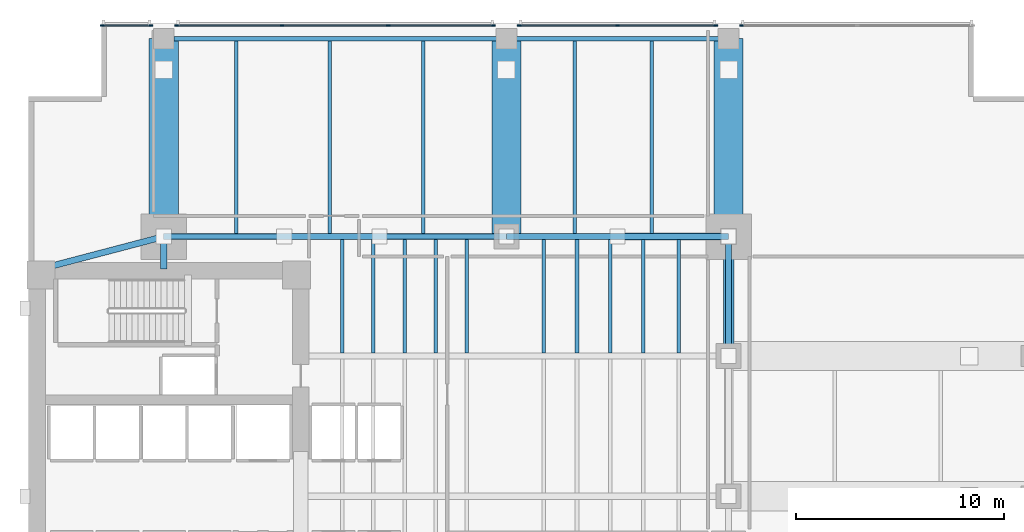
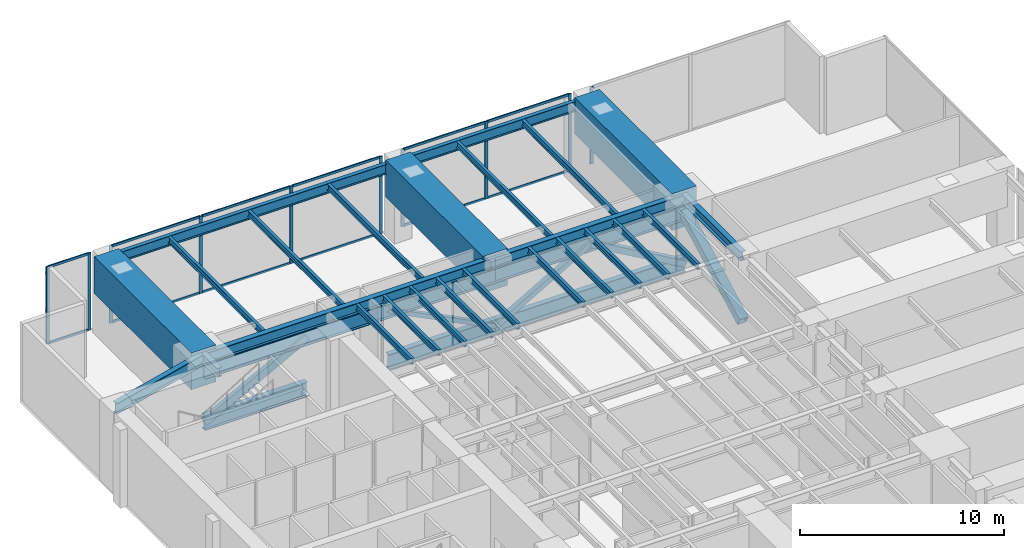
# One storey, part 5 of 14: 32 members, 25 beams, 4 elements without a shape of their own.
"""IFC4 building model written with IfcOpenShell, lengths in metres."""

from ifc_helpers import new_model, si_unit, direction, frame, origin, origin_2d, place, context, subcontext, project, spatial, rectangle, hollow_rectangle, i_section, extrude, material, layer, layer_set, material_profile, profile_set, type_object, element, aggregate, save


model = new_model("IFC4")

# Units and contexts
model_context = context("Model", 3, precision=1e-05, world=origin(), true_north=direction((0.0, 1.0)))
body_context = subcontext(model_context, "Body", "Model", "MODEL_VIEW")
ifc_project = project(units=[si_unit("LENGTHUNIT", "METRE"), si_unit("AREAUNIT", "SQUARE_METRE"), si_unit("VOLUMEUNIT", "CUBIC_METRE"), si_unit("PLANEANGLEUNIT", "RADIAN"), si_unit("MASSUNIT", "GRAM", prefix="KILO")], contexts=[model_context])

# Site, building, storey
site_placement = place(None, origin())
site = spatial("IfcSite", under=ifc_project, at=site_placement, CompositionType="ELEMENT")
building_placement = place(site_placement, origin())
building = spatial("IfcBuilding", under=site, at=building_placement, Name="Kinhvarn Gate Tower", CompositionType="ELEMENT")
storey_placement = place(building_placement, frame((0.0, 0.0, 93.050048828125)))
storey = spatial("IfcBuildingStorey", under=building, at=storey_placement, Name="L24", CompositionType="ELEMENT", Elevation=93.050048828125)

# Beams
ifc_material_1 = material(Name="Concrete C60/75", Category="concrete")
ifc_material_profile_1 = material_profile(ifc_material_1, rectangle(XDim=1.39990234375, YDim=2.199951171875, at=origin_2d()), Name="RC 1400x2200")
ifc_profile_set_1 = profile_set([ifc_material_profile_1], Name="Concrete C60/75")
beam_type_1 = type_object("IfcBeamType", Name="BM-TG-2200", PredefinedType="BEAM", material=ifc_profile_set_1)
for number, where, z_axis, x_axis, name in (
    (1, (11.0, 37.75, 3.699951171875), (0.0, 1.0, 0.0), (-1.0, 0.0, 0.0), "Setback Transfer Girder TG-02-L25-CN-0"),
    (2, (27.5, 37.75, 3.699951171875), (0.0, 1.0, 0.0), (-1.0, 0.0, 0.0), "Setback Transfer Girder TG-02-L25-CN-1"),
    (3, (38.199951171875, 37.75, 3.699951171875), (0.0, 1.0, 0.0), (-1.0, 0.0, 0.0), "Setback Transfer Girder TG-02-L25-CN-2"),
):
    element("IfcBeam", number, at=place(storey_placement, frame(where, z_axis=z_axis, x_axis=x_axis)), inside=storey, type_object=beam_type_1, Name=name, PredefinedType="BEAM", context=body_context, shape_type="SweptSolid", body=[
        extrude(rectangle(XDim=1.39990234375, YDim=2.199951171875, at=origin_2d()), origin(), (0.0, 0.0, 1.0), 9.530029296875),
    ])

# Curtain wall, member
ifc_material_2 = material(Name="Anodised aluminium AW-6063", Category="aluminium")
ifc_layer = layer(ifc_material_2, 0.179931640625)
ifc_layer_set = layer_set([ifc_layer], Name="Anodised aluminium AW-6063")
curtain_wall_type = type_object("IfcCurtainWallType", Name="CW-SYS-2", PredefinedType="NOTDEFINED", material=ifc_layer_set)
curtain_wall_1_placement = place(storey_placement, origin())
curtain_wall_1 = element("IfcCurtainWall", 4, at=curtain_wall_1_placement, inside=storey, type_object=curtain_wall_type, Name="Curtain Wall CW2 (L24)", PredefinedType="NOTDEFINED")
ifc_material_profile_2 = material_profile(ifc_material_2, rectangle(XDim=0.070068359375, YDim=0.179931640625, at=origin_2d()), Name="ALU 70x180")
ifc_profile_set_2 = profile_set([ifc_material_profile_2], Name="Anodised aluminium AW-6063")
member_type_1 = type_object("IfcMemberType", Name="CW-MUL-180", PredefinedType="MULLION", material=ifc_profile_set_2)
member_1_placement = place(storey_placement, frame((38.81494140625, 47.909912109375, 0.0), z_axis=(0.0, 0.0, 1.0), x_axis=(0.0, -1.0, 0.0)))
member_1 = element("IfcMember", 5, at=member_1_placement, type_object=member_type_1, Name="CW2 mullion 3", PredefinedType="MULLION", context=body_context, shape_type="SweptSolid", body=[
    extrude(rectangle(XDim=0.070068359375, YDim=0.179931640625, at=origin_2d()), origin(), (0.0, 0.0, 1.0), 4.619873046875),
])
aggregate(curtain_wall_1, [member_1])

# Curtain wall, members
curtain_wall_2_placement = place(storey_placement, origin())
curtain_wall_2 = element("IfcCurtainWall", 6, at=curtain_wall_2_placement, inside=storey, type_object=curtain_wall_type, Name="Curtain Wall CW2 (L24)", PredefinedType="NOTDEFINED")
member_2_placement = place(storey_placement, frame((37.5849609375, 47.909912109375, 0.0), z_axis=(0.0, 0.0, 1.0), x_axis=(0.0, -1.0, 0.0)))
member_2 = element("IfcMember", 7, at=member_2_placement, type_object=member_type_1, Name="CW2 mullion 1", PredefinedType="MULLION", context=body_context, shape_type="SweptSolid", body=[
    extrude(rectangle(XDim=0.070068359375, YDim=0.179931640625, at=origin_2d()), origin(), (0.0, 0.0, 1.0), 4.619873046875),
])
member_3_placement = place(storey_placement, frame((32.85009765625, 47.909912109375, 0.0), z_axis=(0.0, 0.0, 1.0), x_axis=(0.0, -1.0, 0.0)))
member_3 = element("IfcMember", 8, at=member_3_placement, type_object=member_type_1, Name="CW2 mullion 2", PredefinedType="MULLION", context=body_context, shape_type="SweptSolid", body=[
    extrude(rectangle(XDim=0.070068359375, YDim=0.179931640625, at=origin_2d()), origin(), (0.0, 0.0, 1.0), 4.619873046875),
])
member_4_placement = place(storey_placement, frame((28.114990234375, 47.909912109375, 0.0), z_axis=(0.0, 0.0, 1.0), x_axis=(0.0, -1.0, 0.0)))
member_4 = element("IfcMember", 9, at=member_4_placement, type_object=member_type_1, Name="CW2 mullion 3", PredefinedType="MULLION", context=body_context, shape_type="SweptSolid", body=[
    extrude(rectangle(XDim=0.070068359375, YDim=0.179931640625, at=origin_2d()), origin(), (0.0, 0.0, 1.0), 4.619873046875),
])

curtain_wall_3_placement = place(storey_placement, origin())
curtain_wall_3 = element("IfcCurtainWall", 10, at=curtain_wall_3_placement, inside=storey, type_object=curtain_wall_type, Name="Curtain Wall CW2 (L24)", PredefinedType="NOTDEFINED")
member_5_placement = place(storey_placement, frame((26.885009765625, 47.909912109375, 0.0), z_axis=(0.0, 0.0, 1.0), x_axis=(0.0, -1.0, 0.0)))
member_5 = element("IfcMember", 11, at=member_5_placement, type_object=member_type_1, Name="CW2 mullion 1", PredefinedType="MULLION", context=body_context, shape_type="SweptSolid", body=[
    extrude(rectangle(XDim=0.070068359375, YDim=0.179931640625, at=origin_2d()), origin(), (0.0, 0.0, 1.0), 4.619873046875),
])
member_6_placement = place(storey_placement, frame((21.806640625, 47.909912109375, 0.0), z_axis=(0.0, 0.0, 1.0), x_axis=(0.0, -1.0, 0.0)))
member_6 = element("IfcMember", 12, at=member_6_placement, type_object=member_type_1, Name="CW2 mullion 2", PredefinedType="MULLION", context=body_context, shape_type="SweptSolid", body=[
    extrude(rectangle(XDim=0.070068359375, YDim=0.179931640625, at=origin_2d()), origin(), (0.0, 0.0, 1.0), 4.619873046875),
])
member_7_placement = place(storey_placement, frame((16.693359375, 47.909912109375, 0.0), z_axis=(0.0, 0.0, 1.0), x_axis=(0.0, -1.0, 0.0)))
member_7 = element("IfcMember", 13, at=member_7_placement, type_object=member_type_1, Name="CW2 mullion 3", PredefinedType="MULLION", context=body_context, shape_type="SweptSolid", body=[
    extrude(rectangle(XDim=0.070068359375, YDim=0.179931640625, at=origin_2d()), origin(), (0.0, 0.0, 1.0), 4.619873046875),
])
member_8_placement = place(storey_placement, frame((11.614990234375, 47.909912109375, 0.0), z_axis=(0.0, 0.0, 1.0), x_axis=(0.0, -1.0, 0.0)))
member_8 = element("IfcMember", 14, at=member_8_placement, type_object=member_type_1, Name="CW2 mullion 4", PredefinedType="MULLION", context=body_context, shape_type="SweptSolid", body=[
    extrude(rectangle(XDim=0.070068359375, YDim=0.179931640625, at=origin_2d()), origin(), (0.0, 0.0, 1.0), 4.619873046875),
])

curtain_wall_4_placement = place(storey_placement, origin())
curtain_wall_4 = element("IfcCurtainWall", 15, at=curtain_wall_4_placement, inside=storey, type_object=curtain_wall_type, Name="Curtain Wall CW2 (L24)", PredefinedType="NOTDEFINED")
member_9_placement = place(storey_placement, frame((10.385009765625, 47.909912109375, 0.0), z_axis=(0.0, 0.0, 1.0), x_axis=(0.0, -1.0, 0.0)))
member_9 = element("IfcMember", 16, at=member_9_placement, type_object=member_type_1, Name="CW2 mullion 1", PredefinedType="MULLION", context=body_context, shape_type="SweptSolid", body=[
    extrude(rectangle(XDim=0.070068359375, YDim=0.179931640625, at=origin_2d()), origin(), (0.0, 0.0, 1.0), 4.619873046875),
])
member_10_placement = place(storey_placement, frame((8.034912109375, 47.909912109375, 0.0), z_axis=(0.0, 0.0, 1.0), x_axis=(0.0, -1.0, 0.0)))
member_10 = element("IfcMember", 17, at=member_10_placement, type_object=member_type_1, Name="CW2 mullion 2", PredefinedType="MULLION", context=body_context, shape_type="SweptSolid", body=[
    extrude(rectangle(XDim=0.070068359375, YDim=0.179931640625, at=origin_2d()), origin(), (0.0, 0.0, 1.0), 4.619873046875),
])

# Member
ifc_material_profile_3 = material_profile(ifc_material_2, rectangle(XDim=0.070068359375, YDim=0.139892578125, at=origin_2d()), Name="ALU 70x140")
ifc_profile_set_3 = profile_set([ifc_material_profile_3], Name="Anodised aluminium AW-6063")
member_type_2 = type_object("IfcMemberType", Name="CW-TRN-140", PredefinedType="USERDEFINED", material=ifc_profile_set_3)
member_11_placement = place(storey_placement, frame((37.550048828125, 47.909912109375, 0.034912109375), z_axis=(-1.0, 0.0, 0.0), x_axis=(0.0, -1.0, 0.0)))
member_11 = element("IfcMember", 18, at=member_11_placement, type_object=member_type_2, Name="CW2 transom 1.1", ObjectType="TRANSOM", PredefinedType="USERDEFINED", context=body_context, shape_type="SweptSolid", body=[
    extrude(rectangle(XDim=0.070068359375, YDim=0.139892578125, at=origin_2d()), origin(), (0.0, 0.0, 1.0), 4.6650390625),
])

member_12_placement = place(storey_placement, frame((37.550048828125, 47.909912109375, 4.5849609375), z_axis=(-1.0, 0.0, 0.0), x_axis=(0.0, -1.0, 0.0)))
member_12 = element("IfcMember", 19, at=member_12_placement, type_object=member_type_2, Name="CW2 transom 1.2", ObjectType="TRANSOM", PredefinedType="USERDEFINED", context=body_context, shape_type="SweptSolid", body=[
    extrude(rectangle(XDim=0.070068359375, YDim=0.139892578125, at=origin_2d()), origin(), (0.0, 0.0, 1.0), 4.6650390625),
])

member_13_placement = place(storey_placement, frame((32.81494140625, 47.909912109375, 0.034912109375), z_axis=(-1.0, 0.0, 0.0), x_axis=(0.0, -1.0, 0.0)))
member_13 = element("IfcMember", 20, at=member_13_placement, type_object=member_type_2, Name="CW2 transom 2.1", ObjectType="TRANSOM", PredefinedType="USERDEFINED", context=body_context, shape_type="SweptSolid", body=[
    extrude(rectangle(XDim=0.070068359375, YDim=0.139892578125, at=origin_2d()), origin(), (0.0, 0.0, 1.0), 4.6650390625),
])

member_14_placement = place(storey_placement, frame((32.81494140625, 47.909912109375, 4.5849609375), z_axis=(-1.0, 0.0, 0.0), x_axis=(0.0, -1.0, 0.0)))
member_14 = element("IfcMember", 21, at=member_14_placement, type_object=member_type_2, Name="CW2 transom 2.2", ObjectType="TRANSOM", PredefinedType="USERDEFINED", context=body_context, shape_type="SweptSolid", body=[
    extrude(rectangle(XDim=0.070068359375, YDim=0.139892578125, at=origin_2d()), origin(), (0.0, 0.0, 1.0), 4.6650390625),
])

aggregate(curtain_wall_2, [member_2, member_3, member_4, member_11, member_12, member_13, member_14])

member_15_placement = place(storey_placement, frame((26.85009765625, 47.909912109375, 0.034912109375), z_axis=(-1.0, 0.0, 0.0), x_axis=(0.0, -1.0, 0.0)))
member_15 = element("IfcMember", 22, at=member_15_placement, type_object=member_type_2, Name="CW2 transom 1.1", ObjectType="TRANSOM", PredefinedType="USERDEFINED", context=body_context, shape_type="SweptSolid", body=[
    extrude(rectangle(XDim=0.070068359375, YDim=0.139892578125, at=origin_2d()), origin(), (0.0, 0.0, 1.0), 5.008544921875),
])

member_16_placement = place(storey_placement, frame((26.85009765625, 47.909912109375, 4.5849609375), z_axis=(-1.0, 0.0, 0.0), x_axis=(0.0, -1.0, 0.0)))
member_16 = element("IfcMember", 23, at=member_16_placement, type_object=member_type_2, Name="CW2 transom 1.2", ObjectType="TRANSOM", PredefinedType="USERDEFINED", context=body_context, shape_type="SweptSolid", body=[
    extrude(rectangle(XDim=0.070068359375, YDim=0.139892578125, at=origin_2d()), origin(), (0.0, 0.0, 1.0), 5.008544921875),
])

member_17_placement = place(storey_placement, frame((21.771728515625, 47.909912109375, 0.034912109375), z_axis=(-1.0, 0.0, 0.0), x_axis=(0.0, -1.0, 0.0)))
member_17 = element("IfcMember", 24, at=member_17_placement, type_object=member_type_2, Name="CW2 transom 2.1", ObjectType="TRANSOM", PredefinedType="USERDEFINED", context=body_context, shape_type="SweptSolid", body=[
    extrude(rectangle(XDim=0.070068359375, YDim=0.139892578125, at=origin_2d()), origin(), (0.0, 0.0, 1.0), 5.04345703125),
])

member_18_placement = place(storey_placement, frame((21.771728515625, 47.909912109375, 4.5849609375), z_axis=(-1.0, 0.0, 0.0), x_axis=(0.0, -1.0, 0.0)))
member_18 = element("IfcMember", 25, at=member_18_placement, type_object=member_type_2, Name="CW2 transom 2.2", ObjectType="TRANSOM", PredefinedType="USERDEFINED", context=body_context, shape_type="SweptSolid", body=[
    extrude(rectangle(XDim=0.070068359375, YDim=0.139892578125, at=origin_2d()), origin(), (0.0, 0.0, 1.0), 5.04345703125),
])

member_19_placement = place(storey_placement, frame((16.658447265625, 47.909912109375, 0.034912109375), z_axis=(-1.0, 0.0, 0.0), x_axis=(0.0, -1.0, 0.0)))
member_19 = element("IfcMember", 26, at=member_19_placement, type_object=member_type_2, Name="CW2 transom 3.1", ObjectType="TRANSOM", PredefinedType="USERDEFINED", context=body_context, shape_type="SweptSolid", body=[
    extrude(rectangle(XDim=0.070068359375, YDim=0.139892578125, at=origin_2d()), origin(), (0.0, 0.0, 1.0), 5.008544921875),
])

member_20_placement = place(storey_placement, frame((16.658447265625, 47.909912109375, 4.5849609375), z_axis=(-1.0, 0.0, 0.0), x_axis=(0.0, -1.0, 0.0)))
member_20 = element("IfcMember", 27, at=member_20_placement, type_object=member_type_2, Name="CW2 transom 3.2", ObjectType="TRANSOM", PredefinedType="USERDEFINED", context=body_context, shape_type="SweptSolid", body=[
    extrude(rectangle(XDim=0.070068359375, YDim=0.139892578125, at=origin_2d()), origin(), (0.0, 0.0, 1.0), 5.008544921875),
])

aggregate(curtain_wall_3, [member_5, member_6, member_7, member_8, member_15, member_16, member_17, member_18, member_19, member_20])

member_21_placement = place(storey_placement, frame((10.35009765625, 47.909912109375, 0.034912109375), z_axis=(-1.0, 0.0, 0.0), x_axis=(0.0, -1.0, 0.0)))
member_21 = element("IfcMember", 28, at=member_21_placement, type_object=member_type_2, Name="CW2 transom 1.1", ObjectType="TRANSOM", PredefinedType="USERDEFINED", context=body_context, shape_type="SweptSolid", body=[
    extrude(rectangle(XDim=0.070068359375, YDim=0.139892578125, at=origin_2d()), origin(), (0.0, 0.0, 1.0), 2.280029296875),
])

member_22_placement = place(storey_placement, frame((10.35009765625, 47.909912109375, 4.5849609375), z_axis=(-1.0, 0.0, 0.0), x_axis=(0.0, -1.0, 0.0)))
member_22 = element("IfcMember", 29, at=member_22_placement, type_object=member_type_2, Name="CW2 transom 1.2", ObjectType="TRANSOM", PredefinedType="USERDEFINED", context=body_context, shape_type="SweptSolid", body=[
    extrude(rectangle(XDim=0.070068359375, YDim=0.139892578125, at=origin_2d()), origin(), (0.0, 0.0, 1.0), 2.280029296875),
])

aggregate(curtain_wall_4, [member_9, member_10, member_21, member_22])

# Members
ifc_material_3 = material(Name="Steel S355", Category="steel")
ifc_material_profile_4 = material_profile(ifc_material_3, hollow_rectangle(XDim=0.25, YDim=0.449951171875, WallThickness=0.01611328125, at=origin_2d()), Name="RHS 450x250x16")
ifc_profile_set_4 = profile_set([ifc_material_profile_4], Name="Steel S355")
member_type_3 = type_object("IfcMemberType", Name="MBR-RHS450x250x16", PredefinedType="BRACE", material=ifc_profile_set_4)
member_23_placement = place(storey_placement, frame((11.0, 37.75, 0.449951171875), z_axis=(0.883822301233, 0.0, 0.467822765417), x_axis=(0.0, 1.0, 0.0)))
element("IfcMember", 30, at=member_23_placement, inside=storey, type_object=member_type_3, Name="Outrigger Truss Diagonal BR-05 (RHS 450x250x16)", PredefinedType="BRACE", context=body_context, shape_type="SweptSolid", body=[
    extrude(hollow_rectangle(XDim=0.25, YDim=0.449951171875, WallThickness=0.01611328125, at=origin_2d()), origin(), (0.0, 0.0, 1.0), 6.5625),
])
ifc_material_profile_5 = material_profile(ifc_material_3, hollow_rectangle(XDim=0.25, YDim=0.25, WallThickness=0.011962890625, at=origin_2d()), Name="SHS 250x250x12")
ifc_profile_set_5 = profile_set([ifc_material_profile_5], Name="Steel S355")
member_type_4 = type_object("IfcMemberType", Name="MBR-SHS250x250x12", PredefinedType="BRACE", material=ifc_profile_set_5)
member_24_placement = place(storey_placement, frame((21.39990234375, 37.75, 3.52001953125), z_axis=(0.893251513764, 0.0, -0.449557263491), x_axis=(0.0, 1.0, 0.0)))
element("IfcMember", 31, at=member_24_placement, inside=storey, type_object=member_type_4, Name="Outrigger Truss Diagonal BR-06 (SHS 250x250x12)", PredefinedType="BRACE", context=body_context, shape_type="SweptSolid", body=[
    extrude(hollow_rectangle(XDim=0.25, YDim=0.25, WallThickness=0.011962890625, at=origin_2d()), origin(), (0.0, 0.0, 1.0), 6.8291015625),
])
ifc_material_profile_6 = material_profile(ifc_material_3, hollow_rectangle(XDim=0.300048828125, YDim=0.300048828125, WallThickness=0.01611328125, at=origin_2d()), Name="SHS 300x300x16")
ifc_profile_set_6 = profile_set([ifc_material_profile_6], Name="Steel S355")
member_type_5 = type_object("IfcMemberType", Name="MBR-SHS300x300x16", PredefinedType="BRACE", material=ifc_profile_set_6)
member_25_placement = place(storey_placement, frame((27.5, 37.75, 0.449951171875), z_axis=(0.86734296071, 0.0, 0.497710948751), x_axis=(0.0, 1.0, 0.0)))
element("IfcMember", 32, at=member_25_placement, inside=storey, type_object=member_type_5, Name="Outrigger Truss Diagonal BR-07 (SHS 300x300x16)", PredefinedType="BRACE", context=body_context, shape_type="SweptSolid", body=[
    extrude(hollow_rectangle(XDim=0.300048828125, YDim=0.300048828125, WallThickness=0.01611328125, at=origin_2d()), origin(), (0.0, 0.0, 1.0), 6.16845703125),
])
ifc_material_profile_7 = material_profile(ifc_material_3, hollow_rectangle(XDim=0.35009765625, YDim=0.35009765625, WallThickness=0.01611328125, at=origin_2d()), Name="SHS 350x350x16")
ifc_profile_set_7 = profile_set([ifc_material_profile_7], Name="Steel S355")
member_type_6 = type_object("IfcMemberType", Name="MBR-SHS350x350x16", PredefinedType="BRACE", material=ifc_profile_set_7)
member_26_placement = place(storey_placement, frame((32.85009765625, 37.75, 3.52001953125), z_axis=(0.867333155747, 0.0, -0.497728035117), x_axis=(0.0, 1.0, 0.0)))
element("IfcMember", 33, at=member_26_placement, inside=storey, type_object=member_type_6, Name="Outrigger Truss Diagonal BR-08 (SHS 350x350x16)", PredefinedType="BRACE", context=body_context, shape_type="SweptSolid", body=[
    extrude(hollow_rectangle(XDim=0.35009765625, YDim=0.35009765625, WallThickness=0.01611328125, at=origin_2d()), origin(), (0.0, 0.0, 1.0), 6.168212890625),
])
ifc_material_profile_8 = material_profile(ifc_material_3, hollow_rectangle(XDim=0.5, YDim=0.5, WallThickness=0.02490234375, at=origin_2d()), Name="SHS 500x500x25")
ifc_profile_set_8 = profile_set([ifc_material_profile_8], Name="Steel S355")
member_type_7 = type_object("IfcMemberType", Name="MBR-SHS500x500x25", PredefinedType="BRACE", material=ifc_profile_set_8)
member_27_placement = place(storey_placement, frame((38.199951171875, 32.0, 0.449951171875), z_axis=(0.0, 0.882136153944, 0.470994486067), x_axis=(-1.0, 0.0, 0.0)))
element("IfcMember", 34, at=member_27_placement, inside=storey, type_object=member_type_7, Name="Belt Truss Spine Diagonal BR-10 (SHS 500x500x25)", PredefinedType="BRACE", context=body_context, shape_type="SweptSolid", body=[
    extrude(hollow_rectangle(XDim=0.5, YDim=0.5, WallThickness=0.02490234375, at=origin_2d()), origin(), (0.0, 0.0, 1.0), 6.518310546875),
])

# Beams
ifc_material_profile_9 = material_profile(ifc_material_3, i_section(OverallWidth=0.300048828125, OverallDepth=0.550048828125, WebThickness=0.014892578125, FlangeThickness=0.029052734375, at=origin_2d()), Name="HEB 550")
ifc_profile_set_9 = profile_set([ifc_material_profile_9], Name="Steel S355")
beam_type_2 = type_object("IfcBeamType", Name="STL-HEB550", PredefinedType="BEAM", material=ifc_profile_set_9)
beam_1_placement = place(storey_placement, frame((11.0, 36.199951171875, 4.344970703125), z_axis=(0.0, 1.0, 0.0), x_axis=(-1.0, 0.0, 0.0)))
element("IfcBeam", 35, at=beam_1_placement, inside=storey, type_object=beam_type_2, Name="Floor Beam PG-15 (L24 MCW-CN)", PredefinedType="BEAM", context=body_context, shape_type="SweptSolid", body=[
    extrude(i_section(OverallWidth=0.300048828125, OverallDepth=0.550048828125, WebThickness=0.014892578125, FlangeThickness=0.029052734375, at=origin_2d()), origin(), (0.0, 0.0, 1.0), 1.550048828125),
])
beam_2_placement = place(storey_placement, frame((38.199951171875, 32.0, 4.344970703125), z_axis=(0.0, 1.0, 0.0), x_axis=(-1.0, 0.0, 0.0)))
element("IfcBeam", 36, at=beam_2_placement, inside=storey, type_object=beam_type_2, Name="Floor Beam PG-15 (L24 MG-E-32)", PredefinedType="BEAM", context=body_context, shape_type="SweptSolid", body=[
    extrude(i_section(OverallWidth=0.300048828125, OverallDepth=0.550048828125, WebThickness=0.014892578125, FlangeThickness=0.029052734375, at=origin_2d()), origin(), (0.0, 0.0, 1.0), 5.75),
])
ifc_material_profile_10 = material_profile(ifc_material_3, i_section(OverallWidth=0.300048828125, OverallDepth=0.64990234375, WebThickness=0.01611328125, FlangeThickness=0.031005859375, at=origin_2d()), Name="HEB 650")
ifc_profile_set_10 = profile_set([ifc_material_profile_10], Name="Steel S355")
beam_type_3 = type_object("IfcBeamType", Name="STL-HEB650", PredefinedType="BEAM", material=ifc_profile_set_10)
beam_3_placement = place(storey_placement, frame((11.0, 37.75, 4.294921875), z_axis=(1.0, 0.0, 0.0), x_axis=(0.0, 1.0, 0.0)))
element("IfcBeam", 37, at=beam_3_placement, inside=storey, type_object=beam_type_3, Name="Floor Beam PG-17 (L24 MG-N1)", PredefinedType="BEAM", context=body_context, shape_type="SweptSolid", body=[
    extrude(i_section(OverallWidth=0.300048828125, OverallDepth=0.64990234375, WebThickness=0.01611328125, FlangeThickness=0.031005859375, at=origin_2d()), origin(), (0.0, 0.0, 1.0), 16.5),
])
beam_4_placement = place(storey_placement, frame((27.5, 37.75, 4.294921875), z_axis=(1.0, 0.0, 0.0), x_axis=(0.0, 1.0, 0.0)))
element("IfcBeam", 38, at=beam_4_placement, inside=storey, type_object=beam_type_3, Name="Floor Beam PG-17 (L24 MG-N2)", PredefinedType="BEAM", context=body_context, shape_type="SweptSolid", body=[
    extrude(i_section(OverallWidth=0.300048828125, OverallDepth=0.64990234375, WebThickness=0.01611328125, FlangeThickness=0.031005859375, at=origin_2d()), origin(), (0.0, 0.0, 1.0), 10.699951171875),
])
beam_5_placement = place(storey_placement, frame((5.10009765625, 36.199951171875, 4.294921875), z_axis=(0.967177623957, 0.254101246979, 0.0), x_axis=(-0.254101246979, 0.967177623957, 0.0)))
element("IfcBeam", 39, at=beam_5_placement, inside=storey, type_object=beam_type_3, Name="Floor Beam PG-17 (L24 MG-NW-DIAG)", PredefinedType="BEAM", context=body_context, shape_type="SweptSolid", body=[
    extrude(i_section(OverallWidth=0.300048828125, OverallDepth=0.64990234375, WebThickness=0.01611328125, FlangeThickness=0.031005859375, at=origin_2d()), origin(), (0.0, 0.0, 1.0), 6.10009765625),
])

# Members
ifc_material_profile_11 = material_profile(ifc_material_3, i_section(OverallWidth=0.300048828125, OverallDepth=0.89990234375, WebThickness=0.0185546875, FlangeThickness=0.034912109375, at=origin_2d()), Name="HEB 900")
ifc_profile_set_11 = profile_set([ifc_material_profile_11], Name="Steel S355")
member_type_8 = type_object("IfcMemberType", Name="STL-HEB900", PredefinedType="CHORD", material=ifc_profile_set_11)
member_28_placement = place(storey_placement, frame((11.0, 37.75, 0.449951171875), z_axis=(1.0, 0.0, 0.0), x_axis=(0.0, 1.0, 0.0)))
element("IfcMember", 40, at=member_28_placement, inside=storey, type_object=member_type_8, Name="Outrigger Belt Chord BC-20 (L24 OUT-N1A-BOT)", PredefinedType="CHORD", context=body_context, shape_type="SweptSolid", body=[
    extrude(i_section(OverallWidth=0.300048828125, OverallDepth=0.89990234375, WebThickness=0.0185546875, FlangeThickness=0.034912109375, at=origin_2d()), origin(), (0.0, 0.0, 1.0), 5.800048828125),
])
member_29_placement = place(storey_placement, frame((21.39990234375, 37.75, 0.449951171875), z_axis=(1.0, 0.0, 0.0), x_axis=(0.0, 1.0, 0.0)))
element("IfcMember", 41, at=member_29_placement, inside=storey, type_object=member_type_8, Name="Outrigger Belt Chord BC-20 (L24 OUT-N1B-BOT)", PredefinedType="CHORD", context=body_context, shape_type="SweptSolid", body=[
    extrude(i_section(OverallWidth=0.300048828125, OverallDepth=0.89990234375, WebThickness=0.0185546875, FlangeThickness=0.034912109375, at=origin_2d()), origin(), (0.0, 0.0, 1.0), 6.10009765625),
])
member_30_placement = place(storey_placement, frame((27.5, 37.75, 0.449951171875), z_axis=(1.0, 0.0, 0.0), x_axis=(0.0, 1.0, 0.0)))
element("IfcMember", 42, at=member_30_placement, inside=storey, type_object=member_type_8, Name="Outrigger Belt Chord BC-20 (L24 OUT-N2-BOT)", PredefinedType="CHORD", context=body_context, shape_type="SweptSolid", body=[
    extrude(i_section(OverallWidth=0.300048828125, OverallDepth=0.89990234375, WebThickness=0.0185546875, FlangeThickness=0.034912109375, at=origin_2d()), origin(), (0.0, 0.0, 1.0), 10.699951171875),
])
member_31_placement = place(storey_placement, frame((11.0, 37.75, 3.52001953125), z_axis=(1.0, 0.0, 0.0), x_axis=(0.0, 1.0, 0.0)))
element("IfcMember", 43, at=member_31_placement, inside=storey, type_object=member_type_8, Name="Outrigger Belt Chord BC-20 (L24 OUT-N1-TOP)", PredefinedType="CHORD", context=body_context, shape_type="SweptSolid", body=[
    extrude(i_section(OverallWidth=0.300048828125, OverallDepth=0.89990234375, WebThickness=0.0185546875, FlangeThickness=0.034912109375, at=origin_2d()), origin(), (0.0, 0.0, 1.0), 16.5),
])
member_32_placement = place(storey_placement, frame((27.5, 37.75, 3.52001953125), z_axis=(1.0, 0.0, 0.0), x_axis=(0.0, 1.0, 0.0)))
element("IfcMember", 44, at=member_32_placement, inside=storey, type_object=member_type_8, Name="Outrigger Belt Chord BC-20 (L24 OUT-N2-TOP)", PredefinedType="CHORD", context=body_context, shape_type="SweptSolid", body=[
    extrude(i_section(OverallWidth=0.300048828125, OverallDepth=0.89990234375, WebThickness=0.0185546875, FlangeThickness=0.034912109375, at=origin_2d()), origin(), (0.0, 0.0, 1.0), 10.699951171875),
])

# Beams
ifc_material_profile_12 = material_profile(ifc_material_3, i_section(OverallWidth=0.169921875, OverallDepth=0.360107421875, WebThickness=0.008056640625, FlangeThickness=0.0126953125, at=origin_2d()), Name="IPE 360")
ifc_profile_set_12 = profile_set([ifc_material_profile_12], Name="Steel S355")
beam_type_4 = type_object("IfcBeamType", Name="STL-IPE360", PredefinedType="JOIST", material=ifc_profile_set_12)
for number, where, z_axis, x_axis, name in (
    (45, (19.60009765625, 32.14990234375, 4.43994140625), (0.0, 1.0, 0.0), (-1.0, 0.0, 0.0), "Floor Joist SB-04 (L24 JC-X196-3)"),
    (46, (21.10009765625, 32.14990234375, 4.43994140625), (0.0, 1.0, 0.0), (-1.0, 0.0, 0.0), "Floor Joist SB-04 (L24 JC-X211-3)"),
    (47, (22.60009765625, 32.14990234375, 4.43994140625), (0.0, 1.0, 0.0), (-1.0, 0.0, 0.0), "Floor Joist SB-04 (L24 JC-X226-3)"),
    (48, (24.10009765625, 32.14990234375, 4.43994140625), (0.0, 1.0, 0.0), (-1.0, 0.0, 0.0), "Floor Joist SB-04 (L24 JC-X241-3)"),
    (49, (25.60009765625, 32.14990234375, 4.43994140625), (0.0, 1.0, 0.0), (-1.0, 0.0, 0.0), "Floor Joist SB-04 (L24 JC-X256-3)"),
    (50, (29.300048828125, 32.14990234375, 4.43994140625), (0.0, 1.0, 0.0), (-1.0, 0.0, 0.0), "Floor Joist SB-04 (L24 JC-X293-3)"),
    (51, (30.89990234375, 32.14990234375, 4.43994140625), (0.0, 1.0, 0.0), (-1.0, 0.0, 0.0), "Floor Joist SB-04 (L24 JC-X309-3)"),
    (52, (32.5, 32.14990234375, 4.43994140625), (0.0, 1.0, 0.0), (-1.0, 0.0, 0.0), "Floor Joist SB-04 (L24 JC-X325-3)"),
    (53, (34.10009765625, 32.14990234375, 4.43994140625), (0.0, 1.0, 0.0), (-1.0, 0.0, 0.0), "Floor Joist SB-04 (L24 JC-X341-3)"),
    (54, (35.800048828125, 32.14990234375, 4.43994140625), (0.0, 1.0, 0.0), (-1.0, 0.0, 0.0), "Floor Joist SB-04 (L24 JC-X358-3)"),
):
    element("IfcBeam", number, at=place(storey_placement, frame(where, z_axis=z_axis, x_axis=x_axis)), inside=storey, type_object=beam_type_4, Name=name, PredefinedType="JOIST", context=body_context, shape_type="SweptSolid", body=[
        extrude(i_section(OverallWidth=0.169921875, OverallDepth=0.360107421875, WebThickness=0.008056640625, FlangeThickness=0.0126953125, at=origin_2d()), origin(), (0.0, 0.0, 1.0), 5.4501953125),
    ])
for number, where, z_axis, x_axis, name in (
    (55, (14.5, 37.89990234375, 4.43994140625), (0.0, 1.0, 0.0), (-1.0, 0.0, 0.0), "Floor Joist SB-04 (L24 JN-X145)"),
    (56, (19.0, 37.89990234375, 4.43994140625), (0.0, 1.0, 0.0), (-1.0, 0.0, 0.0), "Floor Joist SB-04 (L24 JN-X190)"),
    (57, (23.5, 37.89990234375, 4.43994140625), (0.0, 1.0, 0.0), (-1.0, 0.0, 0.0), "Floor Joist SB-04 (L24 JN-X235)"),
    (58, (30.800048828125, 37.89990234375, 4.43994140625), (0.0, 1.0, 0.0), (-1.0, 0.0, 0.0), "Floor Joist SB-04 (L24 JN-X308)"),
    (59, (34.5, 37.89990234375, 4.43994140625), (0.0, 1.0, 0.0), (-1.0, 0.0, 0.0), "Floor Joist SB-04 (L24 JN-X345)"),
):
    element("IfcBeam", number, at=place(storey_placement, frame(where, z_axis=z_axis, x_axis=x_axis)), inside=storey, type_object=beam_type_4, Name=name, PredefinedType="JOIST", context=body_context, shape_type="SweptSolid", body=[
        extrude(i_section(OverallWidth=0.169921875, OverallDepth=0.360107421875, WebThickness=0.008056640625, FlangeThickness=0.0126953125, at=origin_2d()), origin(), (0.0, 0.0, 1.0), 9.27001953125),
    ])
ifc_material_profile_13 = material_profile(ifc_material_3, i_section(OverallWidth=0.219970703125, OverallDepth=0.60009765625, WebThickness=0.011962890625, FlangeThickness=0.01904296875, at=origin_2d()), Name="IPE 600")
ifc_profile_set_13 = profile_set([ifc_material_profile_13], Name="Steel S355")
beam_type_5 = type_object("IfcBeamType", Name="STL-IPE600", PredefinedType="SPANDREL", material=ifc_profile_set_13)
beam_6_placement = place(storey_placement, frame((11.485107421875, 47.280029296875, 4.320068359375), z_axis=(1.0, 0.0, 0.0), x_axis=(0.0, 1.0, 0.0)))
element("IfcBeam", 60, at=beam_6_placement, inside=storey, type_object=beam_type_5, Name="Floor Spandrel SB-09 (L24 SP-N1)", PredefinedType="SPANDREL", context=body_context, shape_type="SweptSolid", body=[
    extrude(i_section(OverallWidth=0.219970703125, OverallDepth=0.60009765625, WebThickness=0.011962890625, FlangeThickness=0.01904296875, at=origin_2d()), origin(), (0.0, 0.0, 1.0), 15.52978515625),
])
beam_7_placement = place(storey_placement, frame((27.985107421875, 47.280029296875, 4.320068359375), z_axis=(1.0, 0.0, 0.0), x_axis=(0.0, 1.0, 0.0)))
element("IfcBeam", 61, at=beam_7_placement, inside=storey, type_object=beam_type_5, Name="Floor Spandrel SB-09 (L24 SP-N2)", PredefinedType="SPANDREL", context=body_context, shape_type="SweptSolid", body=[
    extrude(i_section(OverallWidth=0.219970703125, OverallDepth=0.60009765625, WebThickness=0.011962890625, FlangeThickness=0.01904296875, at=origin_2d()), origin(), (0.0, 0.0, 1.0), 9.72998046875),
])

save(model, "model.ifc")
